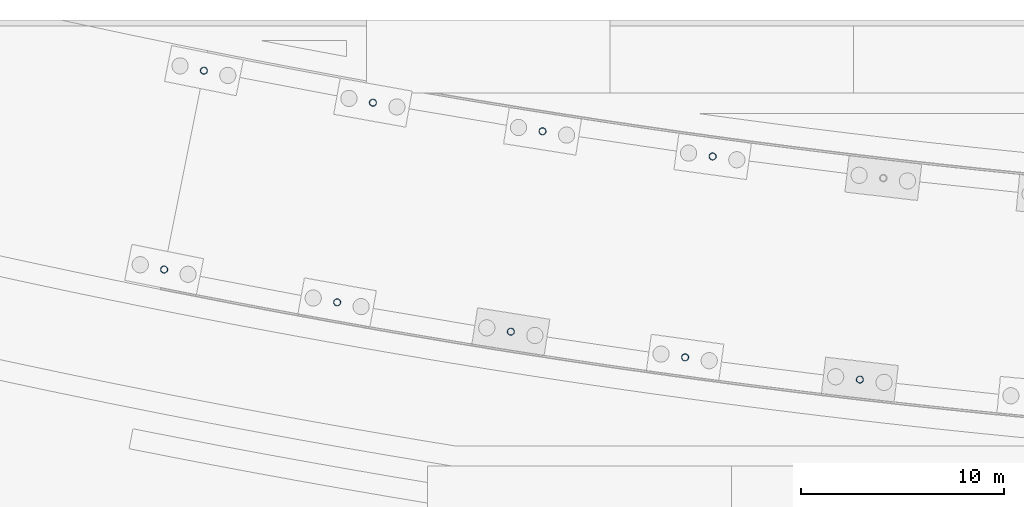
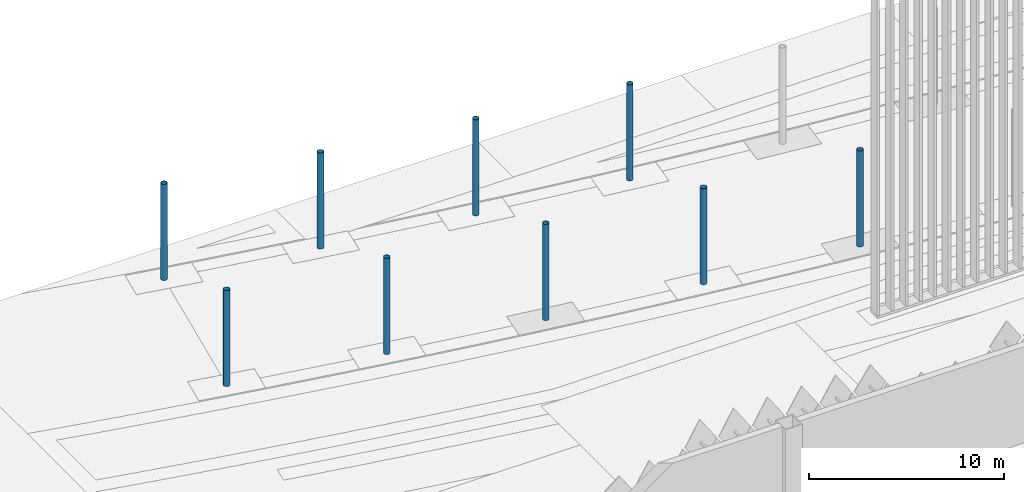
# One storey, part 24 of 198: 9 columns.
"""IFC4 building model written with IfcOpenShell, lengths in metres."""

from ifc_helpers import new_model, si_unit, direction, frame, origin, origin_2d, place, context, subcontext, project, spatial, hollow_circle, extrude, material, material_profile, profile_set, type_object, element, save


model = new_model("IFC4")

# Units and contexts
model_context = context("Model", 3, precision=1e-05, world=origin(), true_north=direction((0.0, 1.0)))
body_context = subcontext(model_context, "Body", "Model", "MODEL_VIEW")
ifc_project = project(units=[si_unit("LENGTHUNIT", "METRE"), si_unit("AREAUNIT", "SQUARE_METRE"), si_unit("VOLUMEUNIT", "CUBIC_METRE"), si_unit("PLANEANGLEUNIT", "RADIAN"), si_unit("MASSUNIT", "GRAM", prefix="KILO")], contexts=[model_context])

# Site, building, storey
site_placement = place(None, origin())
site = spatial("IfcSite", under=ifc_project, at=site_placement, CompositionType="ELEMENT")
building_placement = place(site_placement, origin())
building = spatial("IfcBuilding", under=site, at=building_placement, Name="Opaline Strait Convention Centre", CompositionType="ELEMENT")
storey_placement = place(building_placement, origin())
storey = spatial("IfcBuildingStorey", under=building, at=storey_placement, Name="L00", CompositionType="ELEMENT", Elevation=0.0)

# Columns
ifc_material = material(Name="Steel Q355B", Category="steel")
ifc_material_profile = material_profile(ifc_material, hollow_circle(Radius=0.175537109375, WallThickness=0.01611328125, at=origin_2d()), Name="CHS 351x16")
ifc_profile_set = profile_set([ifc_material_profile], Name="Steel Q355B")
column_type = type_object("IfcColumnType", Name="Arcade column CHS 351x16", PredefinedType="COLUMN", material=ifc_profile_set)
for number, where, z_axis, x_axis, name in (
    (1, (98.019287109375, 177.697021484375, 0.0), (0.0, 0.0, 1.0), (1.0, 0.0, 0.0), "Arcade column SC-I01"),
    (2, (106.550537109375, 176.07958984375, 0.0), (0.0, 0.0, 1.0), (1.0, 0.0, 0.0), "Arcade column SC-I02"),
    (3, (115.11376953125, 174.634765625, 0.0), (0.0, 0.0, 1.0), (1.0, 0.0, 0.0), "Arcade column SC-I03"),
    (4, (123.705810546875, 173.364990234375, 0.0), (0.0, 0.0, 1.0), (1.0, 0.0, 0.0), "Arcade column SC-I04"),
    (5, (132.32275390625, 172.272216796875, 0.0), (0.0, 0.0, 1.0), (1.0, 0.0, 0.0), "Arcade column SC-I05"),
    (6, (99.980712890625, 187.5029296875, 0.0), (0.0, 0.0, 1.0), (1.0, 0.0, 0.0), "Arcade column SC-O01"),
    (7, (108.314453125, 185.9228515625, 0.0), (0.0, 0.0, 1.0), (1.0, 0.0, 0.0), "Arcade column SC-O02"),
    (8, (116.67724609375, 184.51171875, 0.0), (0.0, 0.0, 1.0), (1.0, 0.0, 0.0), "Arcade column SC-O03"),
    (9, (125.066162109375, 183.27197265625, 0.0), (0.0, 0.0, 1.0), (1.0, 0.0, 0.0), "Arcade column SC-O04"),
):
    element("IfcColumn", number, at=place(storey_placement, frame(where, z_axis=z_axis, x_axis=x_axis)), inside=storey, type_object=column_type, Name=name, ObjectType="SCC1", PredefinedType="COLUMN", context=body_context, shape_type="SweptSolid", body=[
        extrude(hollow_circle(Radius=0.175537109375, WallThickness=0.01611328125, at=origin_2d()), origin(), (0.0, 0.0, 1.0), 6.0),
    ])

save(model, "model.ifc")
